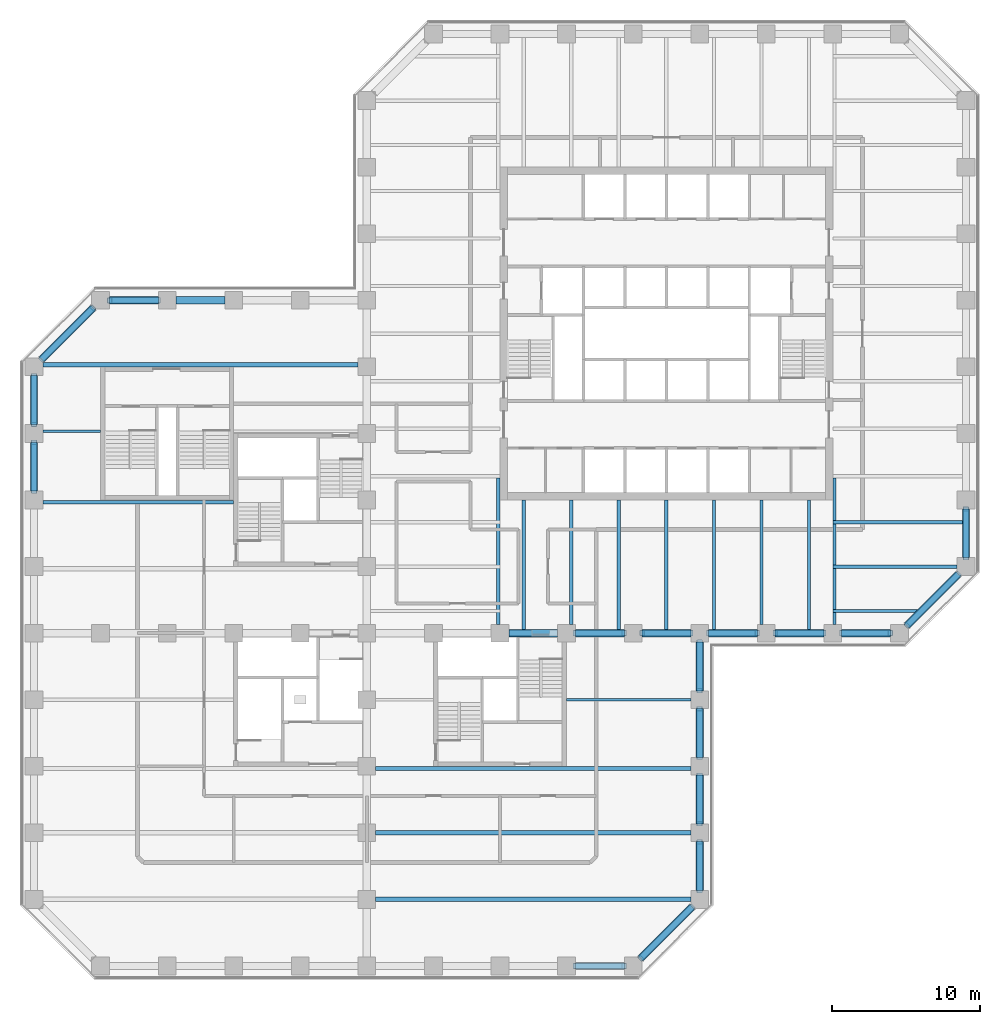
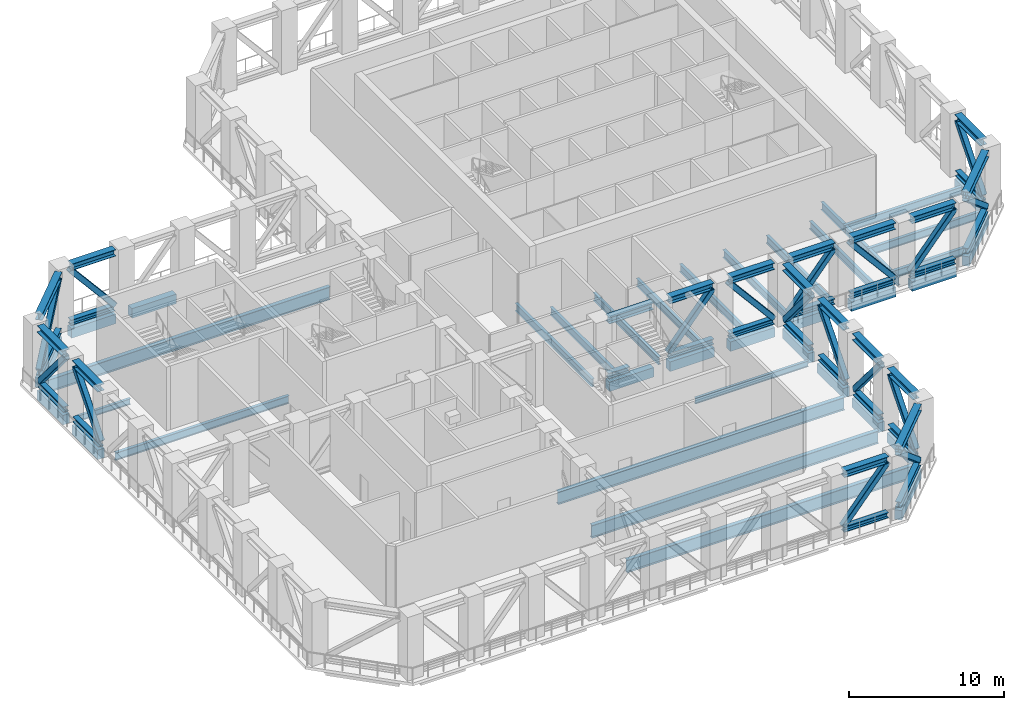
# One storey, part 2 of 16: 53 members, 37 beams.
"""IFC4 building model written with IfcOpenShell, lengths in metres."""

from ifc_helpers import new_model, si_unit, direction, frame, origin, origin_2d, place, context, subcontext, project, spatial, rectangle, hollow_rectangle, i_section, extrude, material, material_profile, profile_set, type_object, element, save


model = new_model("IFC4")

# Units and contexts
model_context = context("Model", 3, precision=1e-05, world=origin(), true_north=direction((0.0, 1.0)))
body_context = subcontext(model_context, "Body", "Model", "MODEL_VIEW")
ifc_project = project(units=[si_unit("LENGTHUNIT", "METRE"), si_unit("AREAUNIT", "SQUARE_METRE"), si_unit("VOLUMEUNIT", "CUBIC_METRE"), si_unit("PLANEANGLEUNIT", "RADIAN"), si_unit("MASSUNIT", "GRAM", prefix="KILO")], contexts=[model_context])

# Site, building, storey
site_placement = place(None, origin())
site = spatial("IfcSite", under=ifc_project, at=site_placement, CompositionType="ELEMENT")
building_placement = place(site_placement, origin())
building = spatial("IfcBuilding", under=site, at=building_placement, Name="Quoin Convention Tower", CompositionType="ELEMENT")
storey_placement = place(building_placement, frame((0.0, 0.0, 69.300048828125)))
storey = spatial("IfcBuildingStorey", under=building, at=storey_placement, Name="L18", CompositionType="ELEMENT", Elevation=69.300048828125)

# Beams
ifc_material_1 = material(Name="Steel Grade 300", Category="steel")
ifc_material_profile_1 = material_profile(ifc_material_1, i_section(OverallWidth=0.300048828125, OverallDepth=1.0, WebThickness=0.01611328125, FlangeThickness=0.02001953125, at=origin_2d()), Name="1000WB215")
ifc_profile_set_1 = profile_set([ifc_material_profile_1], Name="Steel Grade 300")
beam_type_1 = type_object("IfcBeamType", Name="1000WB215", PredefinedType="BEAM", material=ifc_profile_set_1)
for number, where, z_axis, x_axis, name in (
    (1, (36.60009765625, 22.5, -0.719970703125), (1.0, 0.0, 0.0), (0.0, 1.0, 0.0), "gir-L18-ST3-1-0"),
    (2, (36.60009765625, 27.0, -0.719970703125), (1.0, 0.0, 0.0), (0.0, 1.0, 0.0), "gir-L18-ST3-2-0"),
    (3, (36.60009765625, 31.35009765625, -0.719970703125), (1.0, 0.0, 0.0), (0.0, 1.0, 0.0), "gir-L18-ST3-3-0"),
    (4, (14.10009765625, 58.64990234375, -0.719970703125), (1.0, 0.0, 0.0), (0.0, 1.0, 0.0), "gir-L18-ST2-4-0"),
):
    element("IfcBeam", number, at=place(storey_placement, frame(where, z_axis=z_axis, x_axis=x_axis)), inside=storey, type_object=beam_type_1, Name=name, PredefinedType="BEAM", context=body_context, shape_type="SweptSolid", body=[
        extrude(i_section(OverallWidth=0.300048828125, OverallDepth=1.0, WebThickness=0.01611328125, FlangeThickness=0.02001953125, at=origin_2d()), origin(), (0.0, 0.0, 1.0), 21.2998046875),
    ])

# Members
ifc_material_profile_2 = material_profile(ifc_material_1, i_section(OverallWidth=0.39990234375, OverallDepth=0.422119140625, WebThickness=0.028076171875, FlangeThickness=0.035888671875, at=origin_2d()), Name="400WC303")
ifc_profile_set_2 = profile_set([ifc_material_profile_2], Name="Steel Grade 300")
member_type_1 = type_object("IfcMemberType", Name="400WC303", PredefinedType="CHORD", material=ifc_profile_set_2)
member_1_placement = place(storey_placement, frame((50.10009765625, 18.0, 0.2109375), z_axis=(1.0, 0.0, 0.0), x_axis=(0.0, 1.0, 0.0)))
element("IfcMember", 5, at=member_1_placement, inside=storey, type_object=member_type_1, Name="Belt truss L18 bottom chord 49500_18000-54000_18000", PredefinedType="CHORD", context=body_context, shape_type="SweptSolid", body=[
    extrude(i_section(OverallWidth=0.39990234375, OverallDepth=0.422119140625, WebThickness=0.028076171875, FlangeThickness=0.035888671875, at=origin_2d()), origin(), (0.0, 0.0, 1.0), 3.2998046875),
])
member_2_placement = place(storey_placement, frame((54.51513671875, 18.51513671875, 0.2109375), z_axis=(0.707106781187, 0.707106781187, 0.0), x_axis=(-0.707106781187, 0.707106781187, 0.0)))
element("IfcMember", 6, at=member_2_placement, inside=storey, type_object=member_type_1, Name="Belt truss L18 bottom chord 54000_18000-58500_22500", PredefinedType="CHORD", context=body_context, shape_type="SweptSolid", body=[
    extrude(i_section(OverallWidth=0.39990234375, OverallDepth=0.422119140625, WebThickness=0.028076171875, FlangeThickness=0.035888671875, at=origin_2d()), origin(), (0.0, 0.0, 1.0), 4.906982421875),
])
for number, where, z_axis, x_axis, name in (
    (7, (58.5, 23.10009765625, 0.2109375), (0.0, 1.0, 0.0), (-1.0, 0.0, 0.0), "Belt truss L18 bottom chord 58500_22500-58500_27000"),
    (8, (58.5, 27.60009765625, 0.2109375), (0.0, 1.0, 0.0), (-1.0, 0.0, 0.0), "Belt truss L18 bottom chord 58500_27000-58500_31500"),
    (9, (58.5, 32.10009765625, 0.2109375), (0.0, 1.0, 0.0), (-1.0, 0.0, 0.0), "Belt truss L18 bottom chord 58500_31500-58500_36000"),
    (10, (58.5, 36.60009765625, 0.2109375), (0.0, 1.0, 0.0), (-1.0, 0.0, 0.0), "Belt truss L18 bottom chord 58500_36000-58500_40500"),
    (11, (59.10009765625, 40.5, 0.2109375), (1.0, 0.0, 0.0), (0.0, 1.0, 0.0), "Belt truss L18 bottom chord 58500_40500-63000_40500"),
    (12, (63.60009765625, 40.5, 0.2109375), (1.0, 0.0, 0.0), (0.0, 1.0, 0.0), "Belt truss L18 bottom chord 63000_40500-67500_40500"),
    (13, (68.10009765625, 40.5, 0.2109375), (1.0, 0.0, 0.0), (0.0, 1.0, 0.0), "Belt truss L18 bottom chord 67500_40500-72000_40500"),
):
    element("IfcMember", number, at=place(storey_placement, frame(where, z_axis=z_axis, x_axis=x_axis)), inside=storey, type_object=member_type_1, Name=name, PredefinedType="CHORD", context=body_context, shape_type="SweptSolid", body=[
        extrude(i_section(OverallWidth=0.39990234375, OverallDepth=0.422119140625, WebThickness=0.028076171875, FlangeThickness=0.035888671875, at=origin_2d()), origin(), (0.0, 0.0, 1.0), 3.2998046875),
    ])
member_3_placement = place(storey_placement, frame((72.51513671875, 41.01513671875, 0.2109375), z_axis=(0.707106781187, 0.707106781187, 0.0), x_axis=(-0.707106781187, 0.707106781187, 0.0)))
element("IfcMember", 14, at=member_3_placement, inside=storey, type_object=member_type_1, Name="Belt truss L18 bottom chord 72000_40500-76500_45000", PredefinedType="CHORD", context=body_context, shape_type="SweptSolid", body=[
    extrude(i_section(OverallWidth=0.39990234375, OverallDepth=0.422119140625, WebThickness=0.028076171875, FlangeThickness=0.035888671875, at=origin_2d()), origin(), (0.0, 0.0, 1.0), 4.906982421875),
])
for number, where, z_axis, x_axis, name in (
    (15, (76.5, 45.60009765625, 0.2109375), (0.0, 1.0, 0.0), (-1.0, 0.0, 0.0), "Belt truss L18 bottom chord 76500_45000-76500_49500"),
    (16, (21.89990234375, 63.0, 0.2109375), (-1.0, 0.0, 0.0), (0.0, -1.0, 0.0), "Belt truss L18 bottom chord 22500_63000-18000_63000"),
):
    element("IfcMember", number, at=place(storey_placement, frame(where, z_axis=z_axis, x_axis=x_axis)), inside=storey, type_object=member_type_1, Name=name, PredefinedType="CHORD", context=body_context, shape_type="SweptSolid", body=[
        extrude(i_section(OverallWidth=0.39990234375, OverallDepth=0.422119140625, WebThickness=0.028076171875, FlangeThickness=0.035888671875, at=origin_2d()), origin(), (0.0, 0.0, 1.0), 3.2998046875),
    ])
member_4_placement = place(storey_placement, frame((17.48486328125, 62.48486328125, 0.2109375), z_axis=(-0.707106781187, -0.707106781187, 0.0), x_axis=(0.707106781187, -0.707106781187, 0.0)))
element("IfcMember", 17, at=member_4_placement, inside=storey, type_object=member_type_1, Name="Belt truss L18 bottom chord 18000_63000-13500_58500", PredefinedType="CHORD", context=body_context, shape_type="SweptSolid", body=[
    extrude(i_section(OverallWidth=0.39990234375, OverallDepth=0.422119140625, WebThickness=0.028076171875, FlangeThickness=0.035888671875, at=origin_2d()), origin(), (0.0, 0.0, 1.0), 4.906982421875),
])
for number, where, z_axis, x_axis, name in (
    (18, (13.5, 57.89990234375, 0.2109375), (0.0, -1.0, 0.0), (1.0, 0.0, 0.0), "Belt truss L18 bottom chord 13500_58500-13500_54000"),
    (19, (13.5, 53.39990234375, 0.2109375), (0.0, -1.0, 0.0), (1.0, 0.0, 0.0), "Belt truss L18 bottom chord 13500_54000-13500_49500"),
    (20, (50.10009765625, 40.5, 0.2109375), (1.0, 0.0, 0.0), (0.0, 1.0, 0.0), "Belt truss L18 bottom chord 49500_40500-54000_40500"),
    (21, (54.60009765625, 40.5, 0.2109375), (1.0, 0.0, 0.0), (0.0, 1.0, 0.0), "Belt truss L18 bottom chord 54000_40500-58500_40500"),
):
    element("IfcMember", number, at=place(storey_placement, frame(where, z_axis=z_axis, x_axis=x_axis)), inside=storey, type_object=member_type_1, Name=name, PredefinedType="CHORD", context=body_context, shape_type="SweptSolid", body=[
        extrude(i_section(OverallWidth=0.39990234375, OverallDepth=0.422119140625, WebThickness=0.028076171875, FlangeThickness=0.035888671875, at=origin_2d()), origin(), (0.0, 0.0, 1.0), 3.2998046875),
    ])
member_5_placement = place(storey_placement, frame((45.60009765625, 40.5, 0.2109375), z_axis=(1.0, 0.0, 0.0), x_axis=(0.0, 1.0, 0.0)))
element("IfcMember", 22, at=member_5_placement, inside=storey, type_object=member_type_1, Name="Belt truss L18 bottom chord 45000_40500-49500_40500", PredefinedType="CHORD", context=body_context, shape_type="SweptSolid", body=[
    extrude(i_section(OverallWidth=0.39990234375, OverallDepth=0.422119140625, WebThickness=0.028076171875, FlangeThickness=0.035888671875, at=origin_2d()), origin(), (0.0, 0.0, 1.0), 1.5498046875),
])
ifc_material_2 = material(Name="Steel C450L0", Category="steel")
ifc_material_profile_3 = material_profile(ifc_material_2, hollow_rectangle(XDim=0.39990234375, YDim=0.39990234375, WallThickness=0.01611328125, InnerFilletRadius=0.02392578125, OuterFilletRadius=0.0400390625, at=origin_2d()), Name="400x400x16.0SHS")
ifc_profile_set_3 = profile_set([ifc_material_profile_3], Name="Steel C450L0")
member_type_2 = type_object("IfcMemberType", Name="400x400x16.0SHS", PredefinedType="BRACE", material=ifc_profile_set_3)
member_6_placement = place(storey_placement, frame((50.10009765625, 18.0, 0.421875), z_axis=(0.644564459061, 0.0, 0.764549970973), x_axis=(0.0, 1.0, 0.0)))
element("IfcMember", 23, at=member_6_placement, inside=storey, type_object=member_type_2, Name="Belt truss L18 diagonal 49500_18000-54000_18000", PredefinedType="BRACE", context=body_context, shape_type="SweptSolid", body=[
    extrude(hollow_rectangle(XDim=0.39990234375, YDim=0.39990234375, WallThickness=0.01611328125, InnerFilletRadius=0.02392578125, OuterFilletRadius=0.0400390625, at=origin_2d()), origin(), (0.0, 0.0, 1.0), 5.119384765625),
])
member_7_placement = place(storey_placement, frame((57.98486328125, 21.98486328125, 0.421875), z_axis=(-0.552788206144, -0.552788206144, 0.623578702568), x_axis=(0.707106781187, -0.707106781187, 0.0)))
element("IfcMember", 24, at=member_7_placement, inside=storey, type_object=member_type_2, Name="Belt truss L18 diagonal 54000_18000-58500_22500", PredefinedType="BRACE", context=body_context, shape_type="SweptSolid", body=[
    extrude(hollow_rectangle(XDim=0.39990234375, YDim=0.39990234375, WallThickness=0.01611328125, InnerFilletRadius=0.02392578125, OuterFilletRadius=0.0400390625, at=origin_2d()), origin(), (0.0, 0.0, 1.0), 6.27685546875),
])
for number, where, z_axis, x_axis, name in (
    (25, (58.5, 23.10009765625, 0.421875), (0.0, 0.644564459061, 0.764549970973), (-1.0, 0.0, 0.0), "Belt truss L18 diagonal 58500_22500-58500_27000"),
    (26, (58.5, 30.89990234375, 0.421875), (0.0, -0.644564459061, 0.764549970973), (1.0, 0.0, 0.0), "Belt truss L18 diagonal 58500_27000-58500_31500"),
    (27, (58.5, 32.10009765625, 0.421875), (0.0, 0.644564459061, 0.764549970973), (-1.0, 0.0, 0.0), "Belt truss L18 diagonal 58500_31500-58500_36000"),
    (28, (58.5, 39.89990234375, 0.421875), (0.0, -0.644564459061, 0.764549970973), (1.0, 0.0, 0.0), "Belt truss L18 diagonal 58500_36000-58500_40500"),
    (29, (59.10009765625, 40.5, 0.421875), (0.644564459061, 0.0, 0.764549970973), (0.0, 1.0, 0.0), "Belt truss L18 diagonal 58500_40500-63000_40500"),
    (30, (66.89990234375, 40.5, 0.421875), (-0.644564459061, 0.0, 0.764549970973), (0.0, -1.0, 0.0), "Belt truss L18 diagonal 63000_40500-67500_40500"),
    (31, (68.10009765625, 40.5, 0.421875), (0.644564459061, 0.0, 0.764549970973), (0.0, 1.0, 0.0), "Belt truss L18 diagonal 67500_40500-72000_40500"),
):
    element("IfcMember", number, at=place(storey_placement, frame(where, z_axis=z_axis, x_axis=x_axis)), inside=storey, type_object=member_type_2, Name=name, PredefinedType="BRACE", context=body_context, shape_type="SweptSolid", body=[
        extrude(hollow_rectangle(XDim=0.39990234375, YDim=0.39990234375, WallThickness=0.01611328125, InnerFilletRadius=0.02392578125, OuterFilletRadius=0.0400390625, at=origin_2d()), origin(), (0.0, 0.0, 1.0), 5.119384765625),
    ])
member_8_placement = place(storey_placement, frame((75.98486328125, 44.48486328125, 0.421875), z_axis=(-0.552788206144, -0.552788206144, 0.623578702568), x_axis=(0.707106781187, -0.707106781187, 0.0)))
element("IfcMember", 32, at=member_8_placement, inside=storey, type_object=member_type_2, Name="Belt truss L18 diagonal 72000_40500-76500_45000", PredefinedType="BRACE", context=body_context, shape_type="SweptSolid", body=[
    extrude(hollow_rectangle(XDim=0.39990234375, YDim=0.39990234375, WallThickness=0.01611328125, InnerFilletRadius=0.02392578125, OuterFilletRadius=0.0400390625, at=origin_2d()), origin(), (0.0, 0.0, 1.0), 6.27685546875),
])
for number, where, z_axis, x_axis, name in (
    (33, (76.5, 45.60009765625, 0.421875), (0.0, 0.644564459061, 0.764549970973), (-1.0, 0.0, 0.0), "Belt truss L18 diagonal 76500_45000-76500_49500"),
    (34, (21.89990234375, 63.0, 0.421875), (-0.644564459061, 0.0, 0.764549970973), (0.0, -1.0, 0.0), "Belt truss L18 diagonal 22500_63000-18000_63000"),
):
    element("IfcMember", number, at=place(storey_placement, frame(where, z_axis=z_axis, x_axis=x_axis)), inside=storey, type_object=member_type_2, Name=name, PredefinedType="BRACE", context=body_context, shape_type="SweptSolid", body=[
        extrude(hollow_rectangle(XDim=0.39990234375, YDim=0.39990234375, WallThickness=0.01611328125, InnerFilletRadius=0.02392578125, OuterFilletRadius=0.0400390625, at=origin_2d()), origin(), (0.0, 0.0, 1.0), 5.119384765625),
    ])
member_9_placement = place(storey_placement, frame((14.01513671875, 59.01513671875, 0.421875), z_axis=(0.552788206144, 0.552788206144, 0.623578702568), x_axis=(-0.707106781187, 0.707106781187, 0.0)))
element("IfcMember", 35, at=member_9_placement, inside=storey, type_object=member_type_2, Name="Belt truss L18 diagonal 18000_63000-13500_58500", PredefinedType="BRACE", context=body_context, shape_type="SweptSolid", body=[
    extrude(hollow_rectangle(XDim=0.39990234375, YDim=0.39990234375, WallThickness=0.01611328125, InnerFilletRadius=0.02392578125, OuterFilletRadius=0.0400390625, at=origin_2d()), origin(), (0.0, 0.0, 1.0), 6.27685546875),
])
for number, where, z_axis, x_axis, name in (
    (36, (13.5, 57.89990234375, 0.421875), (0.0, -0.644564459061, 0.764549970973), (1.0, 0.0, 0.0), "Belt truss L18 diagonal 13500_58500-13500_54000"),
    (37, (13.5, 50.10009765625, 0.421875), (0.0, 0.644564459061, 0.764549970973), (-1.0, 0.0, 0.0), "Belt truss L18 diagonal 13500_54000-13500_49500"),
    (38, (50.10009765625, 40.5, 0.421875), (0.644564459061, 0.0, 0.764549970973), (0.0, 1.0, 0.0), "Belt truss L18 diagonal 49500_40500-54000_40500"),
    (39, (57.89990234375, 40.5, 0.421875), (-0.644564459061, 0.0, 0.764549970973), (0.0, -1.0, 0.0), "Belt truss L18 diagonal 54000_40500-58500_40500"),
):
    element("IfcMember", number, at=place(storey_placement, frame(where, z_axis=z_axis, x_axis=x_axis)), inside=storey, type_object=member_type_2, Name=name, PredefinedType="BRACE", context=body_context, shape_type="SweptSolid", body=[
        extrude(hollow_rectangle(XDim=0.39990234375, YDim=0.39990234375, WallThickness=0.01611328125, InnerFilletRadius=0.02392578125, OuterFilletRadius=0.0400390625, at=origin_2d()), origin(), (0.0, 0.0, 1.0), 5.119384765625),
    ])

# Beams
ifc_material_profile_4 = material_profile(ifc_material_1, i_section(OverallWidth=0.18994140625, OverallDepth=0.4541015625, WebThickness=0.008544921875, FlangeThickness=0.0126953125, FilletRadius=0.011474609375, at=origin_2d()), Name="460UB67.1")
ifc_profile_set_4 = profile_set([ifc_material_profile_4], Name="Steel Grade 300")
beam_type_2 = type_object("IfcBeamType", Name="460UB67.1", PredefinedType="BEAM", material=ifc_profile_set_4)
beam_1_placement = place(storey_placement, frame((49.5, 36.0, -0.447021484375), z_axis=(1.0, 0.0, 0.0), x_axis=(0.0, 1.0, 0.0)))
element("IfcBeam", 40, at=beam_1_placement, inside=storey, type_object=beam_type_2, Name="gir-L18-ST3-4-1", PredefinedType="BEAM", context=body_context, shape_type="SweptSolid", body=[
    extrude(i_section(OverallWidth=0.18994140625, OverallDepth=0.4541015625, WebThickness=0.008544921875, FlangeThickness=0.0126953125, FilletRadius=0.011474609375, at=origin_2d()), origin(), (0.0, 0.0, 1.0), 8.39990234375),
])
beam_2_placement = place(storey_placement, frame((14.10009765625, 54.14990234375, -0.447021484375), z_axis=(1.0, 0.0, 0.0), x_axis=(0.0, 1.0, 0.0)))
element("IfcBeam", 41, at=beam_2_placement, inside=storey, type_object=beam_type_2, Name="gir-L18-ST2-3-0", PredefinedType="BEAM", context=body_context, shape_type="SweptSolid", body=[
    extrude(i_section(OverallWidth=0.18994140625, OverallDepth=0.4541015625, WebThickness=0.008544921875, FlangeThickness=0.0126953125, FilletRadius=0.011474609375, at=origin_2d()), origin(), (0.0, 0.0, 1.0), 3.89990234375),
])

# Members
ifc_material_profile_5 = material_profile(ifc_material_1, i_section(OverallWidth=0.5, OverallDepth=0.513916015625, WebThickness=0.02490234375, FlangeThickness=0.031982421875, at=origin_2d()), Name="500WC340")
ifc_profile_set_5 = profile_set([ifc_material_profile_5], Name="Steel Grade 300")
member_type_3 = type_object("IfcMemberType", Name="500WC340", PredefinedType="CHORD", material=ifc_profile_set_5)
member_10_placement = place(storey_placement, frame((50.10009765625, 18.0, 4.593017578125), z_axis=(1.0, 0.0, 0.0), x_axis=(0.0, 1.0, 0.0)))
element("IfcMember", 42, at=member_10_placement, inside=storey, type_object=member_type_3, Name="Belt truss L18 top chord 49500_18000-54000_18000", PredefinedType="CHORD", context=body_context, shape_type="SweptSolid", body=[
    extrude(i_section(OverallWidth=0.5, OverallDepth=0.513916015625, WebThickness=0.02490234375, FlangeThickness=0.031982421875, at=origin_2d()), origin(), (0.0, 0.0, 1.0), 3.2998046875),
])
member_11_placement = place(storey_placement, frame((54.51513671875, 18.51513671875, 4.593017578125), z_axis=(0.707106781187, 0.707106781187, 0.0), x_axis=(-0.707106781187, 0.707106781187, 0.0)))
element("IfcMember", 43, at=member_11_placement, inside=storey, type_object=member_type_3, Name="Belt truss L18 top chord 54000_18000-58500_22500", PredefinedType="CHORD", context=body_context, shape_type="SweptSolid", body=[
    extrude(i_section(OverallWidth=0.5, OverallDepth=0.513916015625, WebThickness=0.02490234375, FlangeThickness=0.031982421875, at=origin_2d()), origin(), (0.0, 0.0, 1.0), 4.906982421875),
])
for number, where, z_axis, x_axis, name in (
    (44, (58.5, 23.10009765625, 4.593017578125), (0.0, 1.0, 0.0), (-1.0, 0.0, 0.0), "Belt truss L18 top chord 58500_22500-58500_27000"),
    (45, (58.5, 27.60009765625, 4.593017578125), (0.0, 1.0, 0.0), (-1.0, 0.0, 0.0), "Belt truss L18 top chord 58500_27000-58500_31500"),
    (46, (58.5, 32.10009765625, 4.593017578125), (0.0, 1.0, 0.0), (-1.0, 0.0, 0.0), "Belt truss L18 top chord 58500_31500-58500_36000"),
    (47, (58.5, 36.60009765625, 4.593017578125), (0.0, 1.0, 0.0), (-1.0, 0.0, 0.0), "Belt truss L18 top chord 58500_36000-58500_40500"),
    (48, (59.10009765625, 40.5, 4.593017578125), (1.0, 0.0, 0.0), (0.0, 1.0, 0.0), "Belt truss L18 top chord 58500_40500-63000_40500"),
    (49, (63.60009765625, 40.5, 4.593017578125), (1.0, 0.0, 0.0), (0.0, 1.0, 0.0), "Belt truss L18 top chord 63000_40500-67500_40500"),
    (50, (68.10009765625, 40.5, 4.593017578125), (1.0, 0.0, 0.0), (0.0, 1.0, 0.0), "Belt truss L18 top chord 67500_40500-72000_40500"),
):
    element("IfcMember", number, at=place(storey_placement, frame(where, z_axis=z_axis, x_axis=x_axis)), inside=storey, type_object=member_type_3, Name=name, PredefinedType="CHORD", context=body_context, shape_type="SweptSolid", body=[
        extrude(i_section(OverallWidth=0.5, OverallDepth=0.513916015625, WebThickness=0.02490234375, FlangeThickness=0.031982421875, at=origin_2d()), origin(), (0.0, 0.0, 1.0), 3.2998046875),
    ])
member_12_placement = place(storey_placement, frame((72.51513671875, 41.01513671875, 4.593017578125), z_axis=(0.707106781187, 0.707106781187, 0.0), x_axis=(-0.707106781187, 0.707106781187, 0.0)))
element("IfcMember", 51, at=member_12_placement, inside=storey, type_object=member_type_3, Name="Belt truss L18 top chord 72000_40500-76500_45000", PredefinedType="CHORD", context=body_context, shape_type="SweptSolid", body=[
    extrude(i_section(OverallWidth=0.5, OverallDepth=0.513916015625, WebThickness=0.02490234375, FlangeThickness=0.031982421875, at=origin_2d()), origin(), (0.0, 0.0, 1.0), 4.906982421875),
])
for number, where, z_axis, x_axis, name in (
    (52, (76.5, 45.60009765625, 4.593017578125), (0.0, 1.0, 0.0), (-1.0, 0.0, 0.0), "Belt truss L18 top chord 76500_45000-76500_49500"),
    (53, (21.89990234375, 63.0, 4.593017578125), (-1.0, 0.0, 0.0), (0.0, -1.0, 0.0), "Belt truss L18 top chord 22500_63000-18000_63000"),
):
    element("IfcMember", number, at=place(storey_placement, frame(where, z_axis=z_axis, x_axis=x_axis)), inside=storey, type_object=member_type_3, Name=name, PredefinedType="CHORD", context=body_context, shape_type="SweptSolid", body=[
        extrude(i_section(OverallWidth=0.5, OverallDepth=0.513916015625, WebThickness=0.02490234375, FlangeThickness=0.031982421875, at=origin_2d()), origin(), (0.0, 0.0, 1.0), 3.2998046875),
    ])
member_13_placement = place(storey_placement, frame((17.48486328125, 62.48486328125, 4.593017578125), z_axis=(-0.707106781187, -0.707106781187, 0.0), x_axis=(0.707106781187, -0.707106781187, 0.0)))
element("IfcMember", 54, at=member_13_placement, inside=storey, type_object=member_type_3, Name="Belt truss L18 top chord 18000_63000-13500_58500", PredefinedType="CHORD", context=body_context, shape_type="SweptSolid", body=[
    extrude(i_section(OverallWidth=0.5, OverallDepth=0.513916015625, WebThickness=0.02490234375, FlangeThickness=0.031982421875, at=origin_2d()), origin(), (0.0, 0.0, 1.0), 4.906982421875),
])
for number, where, z_axis, x_axis, name in (
    (55, (13.5, 57.89990234375, 4.593017578125), (0.0, -1.0, 0.0), (1.0, 0.0, 0.0), "Belt truss L18 top chord 13500_58500-13500_54000"),
    (56, (13.5, 53.39990234375, 4.593017578125), (0.0, -1.0, 0.0), (1.0, 0.0, 0.0), "Belt truss L18 top chord 13500_54000-13500_49500"),
    (57, (45.60009765625, 40.5, 4.593017578125), (1.0, 0.0, 0.0), (0.0, 1.0, 0.0), "Belt truss L18 top chord 45000_40500-49500_40500"),
    (58, (50.10009765625, 40.5, 4.593017578125), (1.0, 0.0, 0.0), (0.0, 1.0, 0.0), "Belt truss L18 top chord 49500_40500-54000_40500"),
    (59, (54.60009765625, 40.5, 4.593017578125), (1.0, 0.0, 0.0), (0.0, 1.0, 0.0), "Belt truss L18 top chord 54000_40500-58500_40500"),
):
    element("IfcMember", number, at=place(storey_placement, frame(where, z_axis=z_axis, x_axis=x_axis)), inside=storey, type_object=member_type_3, Name=name, PredefinedType="CHORD", context=body_context, shape_type="SweptSolid", body=[
        extrude(i_section(OverallWidth=0.5, OverallDepth=0.513916015625, WebThickness=0.02490234375, FlangeThickness=0.031982421875, at=origin_2d()), origin(), (0.0, 0.0, 1.0), 3.2998046875),
    ])

# Beams
ifc_material_profile_6 = material_profile(ifc_material_1, i_section(OverallWidth=0.22802734375, OverallDepth=0.60205078125, WebThickness=0.010498046875, FlangeThickness=0.014892578125, FilletRadius=0.013916015625, at=origin_2d()), Name="610UB101")
ifc_profile_set_6 = profile_set([ifc_material_profile_6], Name="Steel Grade 300")
beam_type_3 = type_object("IfcBeamType", Name="610UB101", PredefinedType="BEAM", material=ifc_profile_set_6)
beam_3_placement = place(storey_placement, frame((46.607177734375, 40.75, -0.52099609375), z_axis=(0.0, 1.0, 0.0), x_axis=(-1.0, 0.0, 0.0)))
element("IfcBeam", 60, at=beam_3_placement, inside=storey, type_object=beam_type_3, Name="bm-L18-T1S0", PredefinedType="BEAM", context=body_context, shape_type="SweptSolid", body=[
    extrude(i_section(OverallWidth=0.22802734375, OverallDepth=0.60205078125, WebThickness=0.010498046875, FlangeThickness=0.014892578125, FilletRadius=0.013916015625, at=origin_2d()), origin(), (0.0, 0.0, 1.0), 8.75),
])
beam_4_placement = place(storey_placement, frame((49.8212890625, 41.10009765625, -0.52099609375), z_axis=(0.0, 1.0, 0.0), x_axis=(-1.0, 0.0, 0.0)))
element("IfcBeam", 61, at=beam_4_placement, inside=storey, type_object=beam_type_3, Name="bm-L18-T1S1", PredefinedType="BEAM", context=body_context, shape_type="SweptSolid", body=[
    extrude(i_section(OverallWidth=0.22802734375, OverallDepth=0.60205078125, WebThickness=0.010498046875, FlangeThickness=0.014892578125, FilletRadius=0.013916015625, at=origin_2d()), origin(), (0.0, 0.0, 1.0), 8.39990234375),
])
for number, where, z_axis, x_axis, name in (
    (62, (53.03564453125, 40.75, -0.52099609375), (0.0, 1.0, 0.0), (-1.0, 0.0, 0.0), "bm-L18-T1S2"),
    (63, (56.25, 40.75, -0.52099609375), (0.0, 1.0, 0.0), (-1.0, 0.0, 0.0), "bm-L18-T1S3"),
    (64, (59.46435546875, 40.75, -0.52099609375), (0.0, 1.0, 0.0), (-1.0, 0.0, 0.0), "bm-L18-T1S4"),
):
    element("IfcBeam", number, at=place(storey_placement, frame(where, z_axis=z_axis, x_axis=x_axis)), inside=storey, type_object=beam_type_3, Name=name, PredefinedType="BEAM", context=body_context, shape_type="SweptSolid", body=[
        extrude(i_section(OverallWidth=0.22802734375, OverallDepth=0.60205078125, WebThickness=0.010498046875, FlangeThickness=0.014892578125, FilletRadius=0.013916015625, at=origin_2d()), origin(), (0.0, 0.0, 1.0), 8.75),
    ])
beam_5_placement = place(storey_placement, frame((62.6787109375, 41.10009765625, -0.52099609375), z_axis=(0.0, 1.0, 0.0), x_axis=(-1.0, 0.0, 0.0)))
element("IfcBeam", 65, at=beam_5_placement, inside=storey, type_object=beam_type_3, Name="bm-L18-T1S5", PredefinedType="BEAM", context=body_context, shape_type="SweptSolid", body=[
    extrude(i_section(OverallWidth=0.22802734375, OverallDepth=0.60205078125, WebThickness=0.010498046875, FlangeThickness=0.014892578125, FilletRadius=0.013916015625, at=origin_2d()), origin(), (0.0, 0.0, 1.0), 8.39990234375),
])
beam_6_placement = place(storey_placement, frame((65.892822265625, 40.75, -0.52099609375), z_axis=(0.0, 1.0, 0.0), x_axis=(-1.0, 0.0, 0.0)))
element("IfcBeam", 66, at=beam_6_placement, inside=storey, type_object=beam_type_3, Name="bm-L18-T1S6", PredefinedType="BEAM", context=body_context, shape_type="SweptSolid", body=[
    extrude(i_section(OverallWidth=0.22802734375, OverallDepth=0.60205078125, WebThickness=0.010498046875, FlangeThickness=0.014892578125, FilletRadius=0.013916015625, at=origin_2d()), origin(), (0.0, 0.0, 1.0), 8.75),
])
beam_7_placement = place(storey_placement, frame((67.5, 42.0, -0.52099609375), z_axis=(1.0, 0.0, 0.0), x_axis=(0.0, 1.0, 0.0)))
element("IfcBeam", 67, at=beam_7_placement, inside=storey, type_object=beam_type_3, Name="bm-L18-T1SE0", PredefinedType="BEAM", context=body_context, shape_type="SweptSolid", body=[
    extrude(i_section(OverallWidth=0.22802734375, OverallDepth=0.60205078125, WebThickness=0.010498046875, FlangeThickness=0.014892578125, FilletRadius=0.013916015625, at=origin_2d()), origin(), (0.0, 0.0, 1.0), 5.937255859375),
])
beam_8_placement = place(storey_placement, frame((67.5, 45.0, -0.52099609375), z_axis=(1.0, 0.0, 0.0), x_axis=(0.0, 1.0, 0.0)))
element("IfcBeam", 68, at=beam_8_placement, inside=storey, type_object=beam_type_3, Name="bm-L18-T1SE1", PredefinedType="BEAM", context=body_context, shape_type="SweptSolid", body=[
    extrude(i_section(OverallWidth=0.22802734375, OverallDepth=0.60205078125, WebThickness=0.010498046875, FlangeThickness=0.014892578125, FilletRadius=0.013916015625, at=origin_2d()), origin(), (0.0, 0.0, 1.0), 8.39990234375),
])
beam_9_placement = place(storey_placement, frame((67.5, 48.0, -0.52099609375), z_axis=(1.0, 0.0, 0.0), x_axis=(0.0, 1.0, 0.0)))
element("IfcBeam", 69, at=beam_9_placement, inside=storey, type_object=beam_type_3, Name="bm-L18-T1SE2", PredefinedType="BEAM", context=body_context, shape_type="SweptSolid", body=[
    extrude(i_section(OverallWidth=0.22802734375, OverallDepth=0.60205078125, WebThickness=0.010498046875, FlangeThickness=0.014892578125, FilletRadius=0.013916015625, at=origin_2d()), origin(), (0.0, 0.0, 1.0), 8.75),
])
beam_10_placement = place(storey_placement, frame((14.10009765625, 49.35009765625, -0.52099609375), z_axis=(1.0, 0.0, 0.0), x_axis=(0.0, 1.0, 0.0)))
element("IfcBeam", 70, at=beam_10_placement, inside=storey, type_object=beam_type_3, Name="gir-L18-ST2-2-0", PredefinedType="BEAM", context=body_context, shape_type="SweptSolid", body=[
    extrude(i_section(OverallWidth=0.22802734375, OverallDepth=0.60205078125, WebThickness=0.010498046875, FlangeThickness=0.014892578125, FilletRadius=0.013916015625, at=origin_2d()), origin(), (0.0, 0.0, 1.0), 12.89990234375),
])
ifc_material_profile_7 = material_profile(ifc_material_1, i_section(OverallWidth=0.22900390625, OverallDepth=0.612060546875, WebThickness=0.011962890625, FlangeThickness=0.01953125, FilletRadius=0.013916015625, at=origin_2d()), Name="610UB125")
ifc_profile_set_7 = profile_set([ifc_material_profile_7], Name="Steel Grade 300")
beam_type_4 = type_object("IfcBeamType", Name="610UB125", PredefinedType="BEAM", material=ifc_profile_set_7)
for number, where, z_axis, x_axis, name in (
    (71, (44.885498046875, 41.10009765625, -0.526123046875), (0.0, 1.0, 0.0), (-1.0, 0.0, 0.0), "gir-L18-T1SW"),
    (72, (67.614501953125, 41.10009765625, -0.526123046875), (0.0, 1.0, 0.0), (-1.0, 0.0, 0.0), "gir-L18-T1SE"),
):
    element("IfcBeam", number, at=place(storey_placement, frame(where, z_axis=z_axis, x_axis=x_axis)), inside=storey, type_object=beam_type_4, Name=name, PredefinedType="BEAM", context=body_context, shape_type="SweptSolid", body=[
        extrude(i_section(OverallWidth=0.22900390625, OverallDepth=0.612060546875, WebThickness=0.011962890625, FlangeThickness=0.01953125, FilletRadius=0.013916015625, at=origin_2d()), origin(), (0.0, 0.0, 1.0), 9.89306640625),
    ])
ifc_material_3 = material(Name="Concrete C80", Category="concrete")
ifc_material_profile_8 = material_profile(ifc_material_3, rectangle(XDim=0.5, YDim=0.75, at=origin_2d()), Name="RC 500x750")
ifc_profile_set_8 = profile_set([ifc_material_profile_8], Name="Concrete C80")
beam_type_5 = type_object("IfcBeamType", Name="RC 500x750 C80", PredefinedType="SPANDREL", material=ifc_profile_set_8)
beam_11_placement = place(storey_placement, frame((54.51513671875, 18.51513671875, -0.594970703125), z_axis=(0.707106781187, 0.707106781187, 0.0), x_axis=(-0.707106781187, 0.707106781187, 0.0)))
element("IfcBeam", 73, at=beam_11_placement, inside=storey, type_object=beam_type_5, Name="spd-L18-54000_18000-58500_22500", PredefinedType="SPANDREL", context=body_context, shape_type="SweptSolid", body=[
    extrude(rectangle(XDim=0.5, YDim=0.75, at=origin_2d()), origin(), (0.0, 0.0, 1.0), 4.906982421875),
])
for number, where, z_axis, x_axis, name in (
    (74, (58.5, 23.10009765625, -0.594970703125), (0.0, 1.0, 0.0), (-1.0, 0.0, 0.0), "spd-L18-58500_22500-58500_27000"),
    (75, (58.5, 27.60009765625, -0.594970703125), (0.0, 1.0, 0.0), (-1.0, 0.0, 0.0), "spd-L18-58500_27000-58500_31500"),
    (76, (58.5, 32.10009765625, -0.594970703125), (0.0, 1.0, 0.0), (-1.0, 0.0, 0.0), "spd-L18-58500_31500-58500_36000"),
    (77, (58.5, 36.60009765625, -0.594970703125), (0.0, 1.0, 0.0), (-1.0, 0.0, 0.0), "spd-L18-58500_36000-58500_40500"),
    (78, (59.10009765625, 40.5, -0.594970703125), (1.0, 0.0, 0.0), (0.0, 1.0, 0.0), "spd-L18-58500_40500-63000_40500"),
    (79, (63.60009765625, 40.5, -0.594970703125), (1.0, 0.0, 0.0), (0.0, 1.0, 0.0), "spd-L18-63000_40500-67500_40500"),
    (80, (68.10009765625, 40.5, -0.594970703125), (1.0, 0.0, 0.0), (0.0, 1.0, 0.0), "spd-L18-67500_40500-72000_40500"),
):
    element("IfcBeam", number, at=place(storey_placement, frame(where, z_axis=z_axis, x_axis=x_axis)), inside=storey, type_object=beam_type_5, Name=name, PredefinedType="SPANDREL", context=body_context, shape_type="SweptSolid", body=[
        extrude(rectangle(XDim=0.5, YDim=0.75, at=origin_2d()), origin(), (0.0, 0.0, 1.0), 3.2998046875),
    ])
beam_12_placement = place(storey_placement, frame((72.51513671875, 41.01513671875, -0.594970703125), z_axis=(0.707106781187, 0.707106781187, 0.0), x_axis=(-0.707106781187, 0.707106781187, 0.0)))
element("IfcBeam", 81, at=beam_12_placement, inside=storey, type_object=beam_type_5, Name="spd-L18-72000_40500-76500_45000", PredefinedType="SPANDREL", context=body_context, shape_type="SweptSolid", body=[
    extrude(rectangle(XDim=0.5, YDim=0.75, at=origin_2d()), origin(), (0.0, 0.0, 1.0), 4.906982421875),
])
for number, where, z_axis, x_axis, name in (
    (82, (76.5, 45.60009765625, -0.594970703125), (0.0, 1.0, 0.0), (-1.0, 0.0, 0.0), "spd-L18-76500_45000-76500_49500"),
    (83, (26.39990234375, 63.0, -0.594970703125), (-1.0, 0.0, 0.0), (0.0, -1.0, 0.0), "spd-L18-27000_63000-22500_63000"),
    (84, (21.89990234375, 63.0, -0.594970703125), (-1.0, 0.0, 0.0), (0.0, -1.0, 0.0), "spd-L18-22500_63000-18000_63000"),
):
    element("IfcBeam", number, at=place(storey_placement, frame(where, z_axis=z_axis, x_axis=x_axis)), inside=storey, type_object=beam_type_5, Name=name, PredefinedType="SPANDREL", context=body_context, shape_type="SweptSolid", body=[
        extrude(rectangle(XDim=0.5, YDim=0.75, at=origin_2d()), origin(), (0.0, 0.0, 1.0), 3.2998046875),
    ])
beam_13_placement = place(storey_placement, frame((17.48486328125, 62.48486328125, -0.594970703125), z_axis=(-0.707106781187, -0.707106781187, 0.0), x_axis=(0.707106781187, -0.707106781187, 0.0)))
element("IfcBeam", 85, at=beam_13_placement, inside=storey, type_object=beam_type_5, Name="spd-L18-18000_63000-13500_58500", PredefinedType="SPANDREL", context=body_context, shape_type="SweptSolid", body=[
    extrude(rectangle(XDim=0.5, YDim=0.75, at=origin_2d()), origin(), (0.0, 0.0, 1.0), 4.906982421875),
])
for number, where, z_axis, x_axis, name in (
    (86, (13.5, 57.89990234375, -0.594970703125), (0.0, -1.0, 0.0), (1.0, 0.0, 0.0), "spd-L18-13500_58500-13500_54000"),
    (87, (13.5, 53.39990234375, -0.594970703125), (0.0, -1.0, 0.0), (1.0, 0.0, 0.0), "spd-L18-13500_54000-13500_49500"),
    (88, (45.60009765625, 40.5, -0.594970703125), (1.0, 0.0, 0.0), (0.0, 1.0, 0.0), "spd-L18-45000_40500-49500_40500"),
    (89, (50.10009765625, 40.5, -0.594970703125), (1.0, 0.0, 0.0), (0.0, 1.0, 0.0), "spd-L18-49500_40500-54000_40500"),
    (90, (54.60009765625, 40.5, -0.594970703125), (1.0, 0.0, 0.0), (0.0, 1.0, 0.0), "spd-L18-54000_40500-58500_40500"),
):
    element("IfcBeam", number, at=place(storey_placement, frame(where, z_axis=z_axis, x_axis=x_axis)), inside=storey, type_object=beam_type_5, Name=name, PredefinedType="SPANDREL", context=body_context, shape_type="SweptSolid", body=[
        extrude(rectangle(XDim=0.5, YDim=0.75, at=origin_2d()), origin(), (0.0, 0.0, 1.0), 3.2998046875),
    ])

save(model, "model.ifc")
